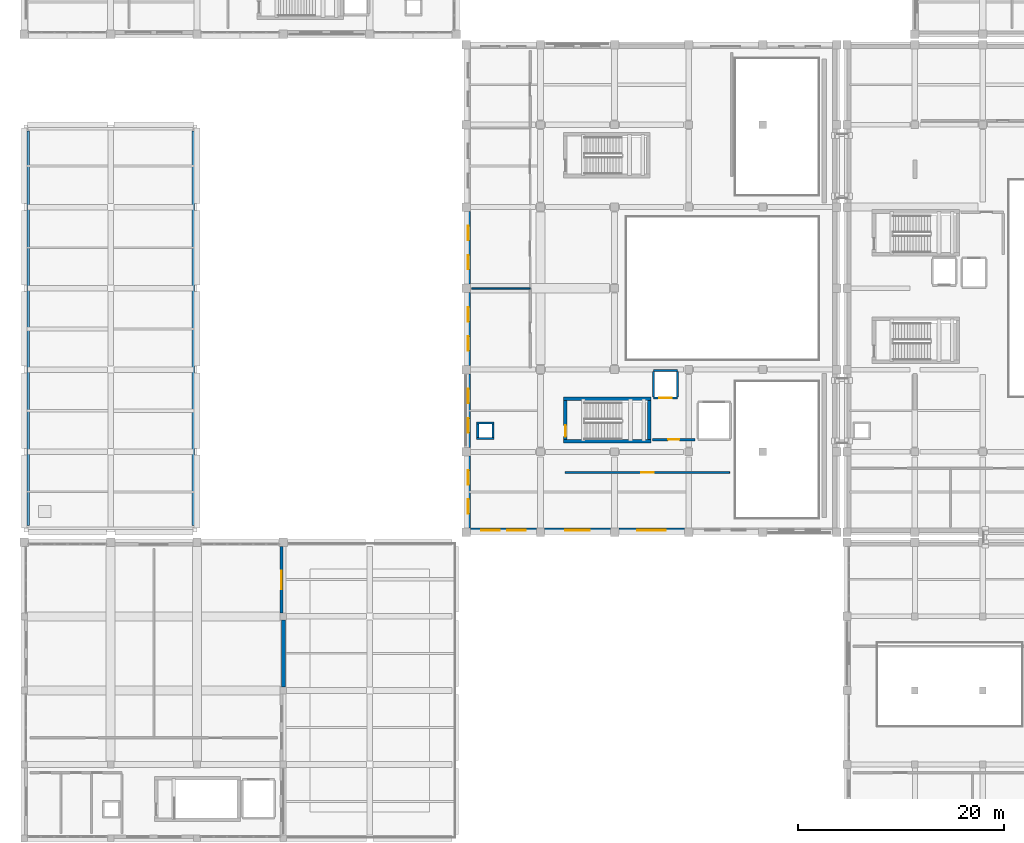
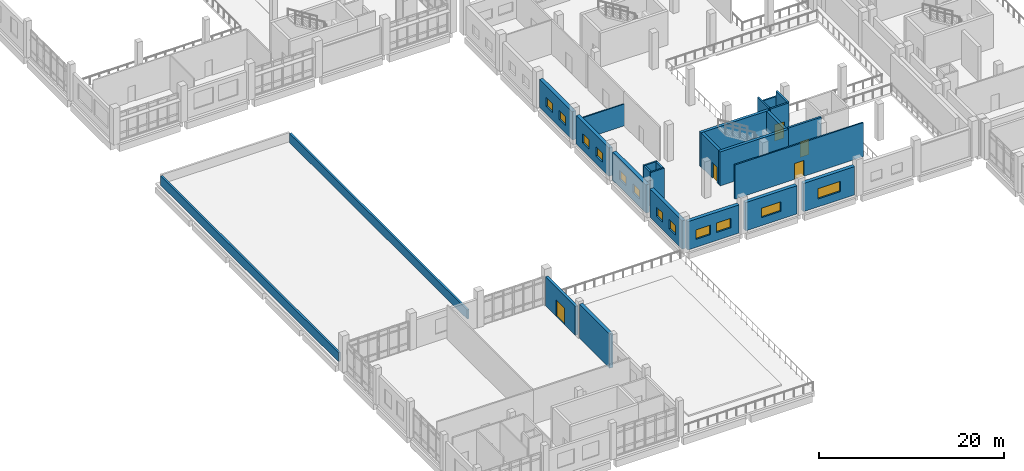
# One storey, part 49 of 73: 26 walls, 12 windows, 5 doors, 17 openings.
"""IFC4 building model written with IfcOpenShell, lengths in metres."""

from ifc_helpers import new_model, si_unit, direction, frame, frame_2d, origin, place, context, subcontext, project, spatial, rectangle, extrude, material, layer, layer_set, type_object, element, fill, save


model = new_model("IFC4")

# Units and contexts
model_context = context("Model", 3, precision=1e-05, world=origin(), true_north=direction((0.0, 1.0)))
body_context = subcontext(model_context, "Body", "Model", "MODEL_VIEW")
ifc_project = project(units=[si_unit("LENGTHUNIT", "METRE"), si_unit("AREAUNIT", "SQUARE_METRE"), si_unit("VOLUMEUNIT", "CUBIC_METRE"), si_unit("PLANEANGLEUNIT", "RADIAN"), si_unit("MASSUNIT", "GRAM", prefix="KILO")], contexts=[model_context])

# Site, building, storey
site_placement = place(None, origin())
site = spatial("IfcSite", under=ifc_project, at=site_placement, CompositionType="ELEMENT")
building_placement = place(site_placement, origin())
building = spatial("IfcBuilding", under=site, at=building_placement, Name="Kelarvand Opera House", CompositionType="ELEMENT")
storey_placement = place(building_placement, frame((0.0, 0.0, 10.199951171875)))
storey = spatial("IfcBuildingStorey", under=building, at=storey_placement, Name="L02", CompositionType="ELEMENT", Elevation=10.199951171875)

# Walls
ifc_material_1 = material(Name="Acoustic double-stud gypsum partition")
ifc_layer_1 = layer(ifc_material_1, 0.14990234375, Name="Acoustic double-stud gypsum partition")
ifc_layer_set_1 = layer_set([ifc_layer_1], Name="Acoustic double-stud gypsum partition")
wall_type_1 = type_object("IfcWallType", Name="Acoustic Room Partition Wall 150", PredefinedType="PARTITIONING", material=ifc_layer_set_1)
wall_1_placement = place(storey_placement, frame((52.5, 62.5, 0.0), z_axis=(0.0, 0.0, 1.0), x_axis=(1.0, 0.0, 0.0)))
element("IfcWall", 1, at=wall_1_placement, inside=storey, type_object=wall_type_1, Name="V2 L02 Partition Wall IW-150 (493)", PredefinedType="PARTITIONING", context=body_context, shape_type="SweptSolid", body=[
    extrude(rectangle(XDim=5.699951171875, YDim=0.14990234375, at=frame_2d((2.85009765625, 0.0))), origin(), (0.0, 0.0, 1.0), 2.8720703125),
])
ifc_material_2 = material(Name="Concrete C35/45", Category="concrete")
ifc_layer_2 = layer(ifc_material_2, 0.239990234375, Name="Concrete C35/45", Category="concrete")
ifc_layer_set_2 = layer_set([ifc_layer_2], Name="Concrete C35/45")
wall_type_2 = type_object("IfcWallType", Name="Capped Travertine Roof Parapet 240", PredefinedType="PARAPET", material=ifc_layer_set_2)
for number, where, z_axis, x_axis, name in (
    (2, (9.3798828125, 77.780029296875, 0.0), (0.0, 0.0, 1.0), (0.0, -1.0, 0.0), "V4 Roof Parapet 27"),
    (3, (25.419921875, 39.419921875, 0.0), (0.0, 0.0, 1.0), (0.0, 1.0, 0.0), "V4 Roof Parapet 28"),
):
    element("IfcWall", number, at=place(storey_placement, frame(where, z_axis=z_axis, x_axis=x_axis)), inside=storey, type_object=wall_type_2, Name=name, PredefinedType="PARAPET", context=body_context, shape_type="SweptSolid", body=[
        extrude(rectangle(XDim=38.360107421875, YDim=0.239990234375, at=frame_2d((19.18017578125, 0.0))), origin(), (0.0, 0.0, 1.0), 1.199951171875),
    ])
ifc_material_3 = material(Name="Concrete C40/50", Category="concrete")
ifc_layer_3 = layer(ifc_material_3, 0.35009765625, Name="Concrete C40/50", Category="concrete")
ifc_layer_set_3 = layer_set([ifc_layer_3], Name="Concrete C40/50")
wall_type_3 = type_object("IfcWallType", Name="Core Stair and Lift Shear Wall 350", PredefinedType="SHEAR", material=ifc_layer_set_3)
for number, where, z_axis, x_axis, name in (
    (4, (61.449951171875, 47.625, 0.0), (0.0, 0.0, 1.0), (1.0, 0.0, 0.0), "C2 Stair Core Shear Wall S L02"),
    (5, (69.949951171875, 51.77490234375, 0.0), (0.0, 0.0, 1.0), (-1.0, 0.0, 0.0), "C2 Stair Core Shear Wall N L02"),
):
    element("IfcWall", number, at=place(storey_placement, frame(where, z_axis=z_axis, x_axis=x_axis)), inside=storey, type_object=wall_type_3, Name=name, PredefinedType="SHEAR", context=body_context, shape_type="SweptSolid", body=[
        extrude(rectangle(XDim=8.5, YDim=0.35009765625, at=frame_2d((4.25, 0.0))), origin(), (0.0, 0.0, 1.0), 4.47998046875),
    ])

# Wall, opening, door
wall_2_placement = place(storey_placement, frame((61.625, 47.800048828125, 0.0), z_axis=(0.0, 0.0, 1.0), x_axis=(0.0, 1.0, 0.0)))
wall_2 = element("IfcWall", 6, at=wall_2_placement, inside=storey, type_object=wall_type_3, Name="C2 Stair Core Shear Wall W L02", PredefinedType="SHEAR", context=body_context, shape_type="SweptSolid", body=[
    extrude(rectangle(XDim=3.800048828125, YDim=0.35009765625, at=frame_2d((1.89990234375, 0.0))), origin(), (0.0, 0.0, 1.0), 4.47998046875),
])
opening_1_placement = place(wall_2_placement, frame((0.280029296875, 0.0, 0.0)))
opening_1 = element("IfcOpeningElement", 7, at=opening_1_placement, cuts=wall_2, Name="Opening FD-01", PredefinedType="OPENING", context=body_context, shape_type="SweptSolid", body=[
    extrude(rectangle(XDim=1.10009765625, YDim=2.080078125, at=frame_2d((0.550048828125, 1.0400390625))), frame((0.0, 0.18505859375, 0.0), z_axis=(0.0, -1.0, 0.0), x_axis=(1.0, 0.0, 0.0)), (0.0, 0.0, 1.0), 0.3701171875),
])
ifc_material_4 = material(Name="Fire-rated brushed stainless steel", Category="steel")
door_type_1 = type_object("IfcDoorType", Name="Steel Fire-Rated Stair and FF Lobby Door 1100x2080", OperationType="NOTDEFINED", PredefinedType="DOOR", material=ifc_material_4)
door_1_placement = place(opening_1_placement, origin())
door_1 = element("IfcDoor", 8, at=door_1_placement, inside=storey, type_object=door_type_1, Name="C2 Stair ST-02 Fire Door L02", OperationType="SINGLE_SWING_LEFT", OverallHeight=2.080078125, OverallWidth=1.10009765625, PredefinedType="DOOR", context=body_context, shape_type="SweptSolid", body=[
    extrude(rectangle(XDim=1.10009765625, YDim=2.080078125, at=frame_2d((0.550048828125, 1.0400390625))), frame((0.0, 0.02490234375, 0.0), z_axis=(0.0, -1.0, 0.0), x_axis=(1.0, 0.0, 0.0)), (0.0, 0.0, 1.0), 0.050048828125),
])
fill(opening_1, door_1)

# Wall
wall_3_placement = place(storey_placement, frame((69.77490234375, 51.60009765625, 0.0), z_axis=(0.0, 0.0, 1.0), x_axis=(0.0, -1.0, 0.0)))
element("IfcWall", 9, at=wall_3_placement, inside=storey, type_object=wall_type_3, Name="C2 Stair Core Shear Wall E L02", PredefinedType="SHEAR", context=body_context, shape_type="SweptSolid", body=[
    extrude(rectangle(XDim=3.800048828125, YDim=0.35009765625, at=frame_2d((1.89990234375, 0.0))), origin(), (0.0, 0.0, 1.0), 4.47998046875),
])

# Wall, opening, door
ifc_layer_4 = layer(ifc_material_2, 0.179931640625, Name="Concrete C35/45", Category="concrete")
ifc_layer_set_4 = layer_set([ifc_layer_4], Name="Concrete C35/45")
wall_type_4 = type_object("IfcWallType", Name="Corridor Fire-Rated Partition Wall 180 EI90", PredefinedType="PARTITIONING", material=ifc_layer_set_4)
wall_4_placement = place(storey_placement, frame((61.60009765625, 44.60009765625, 0.0), z_axis=(0.0, 0.0, 1.0), x_axis=(1.0, 0.0, 0.0)))
wall_4 = element("IfcWall", 10, at=wall_4_placement, inside=storey, type_object=wall_type_4, Name="V2 L02 Partition Wall IW-90 (491)", PredefinedType="PARTITIONING", context=body_context, shape_type="SweptSolid", body=[
    extrude(rectangle(XDim=16.0, YDim=0.179931640625, at=frame_2d((8.0, 0.0))), origin(), (0.0, 0.0, 1.0), 4.491943359375),
])
opening_2_placement = place(wall_4_placement, frame((7.39990234375, 0.0, 0.0)))
opening_2 = element("IfcOpeningElement", 11, at=opening_2_placement, cuts=wall_4, Name="Opening D-06", PredefinedType="OPENING", context=body_context, shape_type="SweptSolid", body=[
    extrude(rectangle(XDim=1.199951171875, YDim=2.10009765625, at=frame_2d((0.60009765625, 1.050048828125))), frame((0.0, 0.10009765625, 0.0), z_axis=(0.0, -1.0, 0.0), x_axis=(1.0, 0.0, 0.0)), (0.0, 0.0, 1.0), 0.199951171875),
])
ifc_material_5 = material(Name="Acoustic walnut-veneered hardwood", Category="wood")
door_type_2 = type_object("IfcDoorType", Name="Accessible Suite Timber Door 1200x2100", OperationType="NOTDEFINED", PredefinedType="DOOR", material=ifc_material_5)
door_2_placement = place(opening_2_placement, origin())
door_2 = element("IfcDoor", 12, at=door_2_placement, inside=storey, type_object=door_type_2, Name="V2 L02 Door D-06 (216)", OperationType="SINGLE_SWING_LEFT", OverallHeight=2.10009765625, OverallWidth=1.199951171875, PredefinedType="DOOR", context=body_context, shape_type="SweptSolid", body=[
    extrude(rectangle(XDim=1.199951171875, YDim=2.10009765625, at=frame_2d((0.60009765625, 1.050048828125))), frame((0.0, 0.02490234375, 0.0), z_axis=(0.0, -1.0, 0.0), x_axis=(1.0, 0.0, 0.0)), (0.0, 0.0, 1.0), 0.050048828125),
])
fill(opening_2, door_2)

ifc_layer_5 = layer(ifc_material_2, 0.239990234375, Name="Concrete C35/45", Category="concrete")
ifc_layer_set_5 = layer_set([ifc_layer_5], Name="Concrete C35/45")
wall_type_5 = type_object("IfcWallType", Name="Firefighting Lobby Partition Wall 240 EI120", PredefinedType="PARTITIONING", material=ifc_layer_set_5)
wall_5_placement = place(storey_placement, frame((70.10009765625, 47.800048828125, 0.0), z_axis=(0.0, 0.0, 1.0), x_axis=(1.0, 0.0, 0.0)))
wall_5 = element("IfcWall", 13, at=wall_5_placement, inside=storey, type_object=wall_type_5, Name="V2 L02 Partition Wall IW-120 (458)", PredefinedType="PARTITIONING", context=body_context, shape_type="SweptSolid", body=[
    extrude(rectangle(XDim=4.099853515625, YDim=0.239990234375, at=frame_2d((2.0498046875, 0.0))), origin(), (0.0, 0.0, 1.0), 4.47216796875),
])
opening_3_placement = place(wall_5_placement, frame((1.5, 0.0, 0.0)))
opening_3 = element("IfcOpeningElement", 14, at=opening_3_placement, cuts=wall_5, Name="Opening FD-01", PredefinedType="OPENING", context=body_context, shape_type="SweptSolid", body=[
    extrude(rectangle(XDim=1.10009765625, YDim=2.080078125, at=frame_2d((0.550048828125, 1.0400390625))), frame((0.0, 0.1298828125, 0.0), z_axis=(0.0, -1.0, 0.0), x_axis=(1.0, 0.0, 0.0)), (0.0, 0.0, 1.0), 0.260009765625),
])
door_3_placement = place(opening_3_placement, origin())
door_3 = element("IfcDoor", 15, at=door_3_placement, inside=storey, type_object=door_type_1, Name="V2 L02 Door FD-01 (203)", OperationType="SINGLE_SWING_RIGHT", OverallHeight=2.080078125, OverallWidth=1.10009765625, PredefinedType="DOOR", context=body_context, shape_type="SweptSolid", body=[
    extrude(rectangle(XDim=1.10009765625, YDim=2.080078125, at=frame_2d((0.550048828125, 1.0400390625))), frame((0.0, 0.02490234375, 0.0), z_axis=(0.0, -1.0, 0.0), x_axis=(1.0, 0.0, 0.0)), (0.0, 0.0, 1.0), 0.050048828125),
])
fill(opening_3, door_3)

ifc_layer_6 = layer(ifc_material_2, 0.320068359375, Name="Concrete C35/45", Category="concrete")
ifc_layer_set_6 = layer_set([ifc_layer_6], Name="Concrete C35/45")
wall_type_6 = type_object("IfcWallType", Name="Insulated Buff Brick Cavity Wall 320", PredefinedType="SOLIDWALL", material=ifc_layer_set_6)
wall_6_placement = place(storey_placement, frame((34.02001953125, 37.389892578125, 0.0), z_axis=(0.0, 0.0, 1.0), x_axis=(0.0, -1.0, 0.0)))
wall_6 = element("IfcWall", 16, at=wall_6_placement, inside=storey, type_object=wall_type_6, Name="V4 L02 Exterior Wall EW-320 (548)", PredefinedType="SOLIDWALL", context=body_context, shape_type="SweptSolid", body=[
    extrude(rectangle(XDim=6.46484375, YDim=0.320068359375, at=frame_2d((3.232421875, 0.0))), origin(), (0.0, 0.0, 1.0), 3.822021484375),
])
opening_4_placement = place(wall_6_placement, frame((2.3330078125, 0.0, 0.0)))
opening_4 = element("IfcOpeningElement", 17, at=opening_4_placement, cuts=wall_6, Name="Opening TD-180", PredefinedType="OPENING", context=body_context, shape_type="SweptSolid", body=[
    extrude(rectangle(XDim=1.800048828125, YDim=2.199951171875, at=frame_2d((0.89990234375, 1.10009765625))), frame((0.0, 0.169921875, 0.0), z_axis=(0.0, -1.0, 0.0), x_axis=(1.0, 0.0, 0.0)), (0.0, 0.0, 1.0), 0.340087890625),
])
ifc_material_6 = material(Name="Thermally broken bronze-anodised aluminium and safety glass", Category="aluminium")
door_type_3 = type_object("IfcDoorType", Name="Glazed Planted Roof Terrace Double Door 1800x2200", OperationType="NOTDEFINED", PredefinedType="DOOR", material=ifc_material_6)
door_4_placement = place(opening_4_placement, origin())
door_4 = element("IfcDoor", 18, at=door_4_placement, inside=storey, type_object=door_type_3, Name="V4 L02 Planted Terrace Door 1", OperationType="DOUBLE_DOOR_SINGLE_SWING", OverallHeight=2.199951171875, OverallWidth=1.800048828125, PredefinedType="DOOR", context=body_context, shape_type="SweptSolid", body=[
    extrude(rectangle(XDim=1.800048828125, YDim=2.199951171875, at=frame_2d((0.89990234375, 1.10009765625))), frame((0.0, 0.02490234375, 0.0), z_axis=(0.0, -1.0, 0.0), x_axis=(1.0, 0.0, 0.0)), (0.0, 0.0, 1.0), 0.050048828125),
])
fill(opening_4, door_4)

# Walls
ifc_layer_7 = layer(ifc_material_2, 0.199951171875, Name="Concrete C35/45", Category="concrete")
ifc_layer_set_7 = layer_set([ifc_layer_7], Name="Concrete C35/45")
wall_type_7 = type_object("IfcWallType", Name="Lift and Riser Shaft Enclosure Wall 200 EI120", PredefinedType="PARTITIONING", material=ifc_layer_set_7)
for number, where, z_axis, x_axis, name in (
    (19, (53.0, 47.89990234375, 0.0), (0.0, 0.0, 1.0), (1.0, 0.0, 0.0), "RSR-V2 L02 Riser Shaft Wall 45"),
    (20, (54.699951171875, 49.39990234375, 0.0), (0.0, 0.0, 1.0), (-1.0, 0.0, 0.0), "RSR-V2 L02 Riser Shaft Wall 46"),
):
    element("IfcWall", number, at=place(storey_placement, frame(where, z_axis=z_axis, x_axis=x_axis)), inside=storey, type_object=wall_type_7, Name=name, PredefinedType="PARTITIONING", context=body_context, shape_type="SweptSolid", body=[
        extrude(rectangle(XDim=1.699951171875, YDim=0.199951171875, at=frame_2d((0.85009765625, 0.0))), origin(), (0.0, 0.0, 1.0), 4.5),
    ])
for number, where, z_axis, x_axis, name in (
    (21, (53.10009765625, 48.0, 0.0), (0.0, 0.0, 1.0), (0.0, 1.0, 0.0), "RSR-V2 L02 Riser Shaft Wall 47"),
    (22, (54.60009765625, 49.300048828125, 0.0), (0.0, 0.0, 1.0), (0.0, -1.0, 0.0), "RSR-V2 L02 Riser Shaft Wall 48"),
):
    element("IfcWall", number, at=place(storey_placement, frame(where, z_axis=z_axis, x_axis=x_axis)), inside=storey, type_object=wall_type_7, Name=name, PredefinedType="PARTITIONING", context=body_context, shape_type="SweptSolid", body=[
        extrude(rectangle(XDim=1.300048828125, YDim=0.199951171875, at=frame_2d((0.64990234375, 0.0))), origin(), (0.0, 0.0, 1.0), 4.5),
    ])

# Wall, opening, door
wall_7_placement = place(storey_placement, frame((70.199951171875, 51.85009765625, 0.0), z_axis=(0.0, 0.0, 1.0), x_axis=(1.0, 0.0, 0.0)))
wall_7 = element("IfcWall", 23, at=wall_7_placement, inside=storey, type_object=wall_type_7, Name="V2 L02 Partition Wall SW-200 (450)", PredefinedType="PARTITIONING", context=body_context, shape_type="SweptSolid", body=[
    extrude(rectangle(XDim=2.300048828125, YDim=0.199951171875, at=frame_2d((1.14990234375, 0.0))), origin(), (0.0, 0.0, 1.0), 4.47216796875),
])
opening_5_placement = place(wall_7_placement, frame((0.550048828125, 0.0, 0.0)))
opening_5 = element("IfcOpeningElement", 24, at=opening_5_placement, cuts=wall_7, Name="Opening LD-02", PredefinedType="OPENING", context=body_context, shape_type="SweptSolid", body=[
    extrude(rectangle(XDim=1.199951171875, YDim=2.14990234375, at=frame_2d((0.60009765625, 1.074951171875))), frame((0.0, 0.10986328125, 0.0), z_axis=(0.0, -1.0, 0.0), x_axis=(1.0, 0.0, 0.0)), (0.0, 0.0, 1.0), 0.219970703125),
])
door_type_4 = type_object("IfcDoorType", Name="Firefighting Lift Sliding Landing Door 1200x2150", OperationType="SLIDING_TO_LEFT", PredefinedType="DOOR", material=ifc_material_4)
door_5_placement = place(opening_5_placement, origin())
door_5 = element("IfcDoor", 25, at=door_5_placement, inside=storey, type_object=door_type_4, Name="V2 L02 Door LD-02 (201)", OperationType="SLIDING_TO_LEFT", OverallHeight=2.14990234375, OverallWidth=1.199951171875, PredefinedType="DOOR", context=body_context, shape_type="SweptSolid", body=[
    extrude(rectangle(XDim=1.199951171875, YDim=2.14990234375, at=frame_2d((0.60009765625, 1.074951171875))), frame((0.0, 0.02490234375, 0.0), z_axis=(0.0, -1.0, 0.0), x_axis=(1.0, 0.0, 0.0)), (0.0, 0.0, 1.0), 0.050048828125),
])
fill(opening_5, door_5)

# Walls
wall_8_placement = place(storey_placement, frame((72.5, 54.5, 0.0), z_axis=(0.0, 0.0, 1.0), x_axis=(-1.0, 0.0, 0.0)))
element("IfcWall", 26, at=wall_8_placement, inside=storey, type_object=wall_type_7, Name="V2 L02 Partition Wall SW-200 (451)", PredefinedType="PARTITIONING", context=body_context, shape_type="SweptSolid", body=[
    extrude(rectangle(XDim=2.300048828125, YDim=0.199951171875, at=frame_2d((1.14990234375, 0.0))), origin(), (0.0, 0.0, 1.0), 3.72216796875),
])
for number, where, z_axis, x_axis, name in (
    (27, (70.199951171875, 51.949951171875, 0.0), (0.0, 0.0, 1.0), (0.0, 1.0, 0.0), "V2 L02 Partition Wall SW-200 (452)"),
    (28, (72.5, 54.39990234375, 0.0), (0.0, 0.0, 1.0), (0.0, -1.0, 0.0), "V2 L02 Partition Wall SW-200 (453)"),
):
    element("IfcWall", number, at=place(storey_placement, frame(where, z_axis=z_axis, x_axis=x_axis)), inside=storey, type_object=wall_type_7, Name=name, PredefinedType="PARTITIONING", context=body_context, shape_type="SweptSolid", body=[
        extrude(rectangle(XDim=2.449951171875, YDim=0.199951171875, at=frame_2d((1.22509765625, 0.0))), origin(), (0.0, 0.0, 1.0), 4.47216796875),
    ])
ifc_layer_8 = layer(ifc_material_3, 0.39990234375, Name="Concrete C40/50", Category="concrete")
ifc_layer_set_8 = layer_set([ifc_layer_8], Name="Concrete C40/50")
wall_type_8 = type_object("IfcWallType", Name="Seismic Compartment Shear Wall 400", PredefinedType="SHEAR", material=ifc_layer_set_8)
wall_9_placement = place(storey_placement, frame((34.199951171875, 23.72509765625, 0.0), z_axis=(0.0, 0.0, 1.0), x_axis=(0.0, 1.0, 0.0)))
element("IfcWall", 29, at=wall_9_placement, inside=storey, type_object=wall_type_8, Name="V4 Shear Wall CW-120 L02", PredefinedType="SHEAR", context=body_context, shape_type="SweptSolid", body=[
    extrude(rectangle(XDim=6.5498046875, YDim=0.39990234375, at=frame_2d((3.27490234375, 0.0))), origin(), (0.0, 0.0, 1.0), 4.47998046875),
])

# Wall, openings, windows
ifc_layer_9 = layer(ifc_material_2, 0.43994140625, Name="Concrete C35/45", Category="concrete")
ifc_layer_set_9 = layer_set([ifc_layer_9], Name="Concrete C35/45")
wall_type_9 = type_object("IfcWallType", Name="Stage House Acoustic Cavity Wall 440", PredefinedType="SOLIDWALL", material=ifc_layer_set_9)
wall_10_placement = place(storey_placement, frame((52.179931640625, 39.2099609375, 0.0), z_axis=(0.0, 0.0, 1.0), x_axis=(0.0, 1.0, 0.0)))
wall_10 = element("IfcWall", 30, at=wall_10_placement, inside=storey, type_object=wall_type_9, Name="V2 L02 Exterior Wall EW-440 (269)", PredefinedType="SOLIDWALL", context=body_context, shape_type="SweptSolid", body=[
    extrude(rectangle(XDim=6.97998046875, YDim=0.43994140625, at=frame_2d((3.489990234375, 0.0))), origin(), (0.0, 0.0, 1.0), 3.72216796875),
])
opening_6_placement = place(wall_10_placement, frame((1.39404296875, 0.0, 1.0)))
opening_6 = element("IfcOpeningElement", 31, at=opening_6_placement, cuts=wall_10, Name="Opening WN-24", PredefinedType="OPENING", context=body_context, shape_type="SweptSolid", body=[
    extrude(rectangle(XDim=1.39990234375, YDim=1.199951171875, at=frame_2d((0.699951171875, 0.60009765625))), frame((0.0, 0.22998046875, 0.0), z_axis=(0.0, -1.0, 0.0), x_axis=(1.0, 0.0, 0.0)), (0.0, 0.0, 1.0), 0.4599609375),
])
opening_7_placement = place(wall_10_placement, frame((4.18603515625, 0.0, 1.0)))
opening_7 = element("IfcOpeningElement", 32, at=opening_7_placement, cuts=wall_10, Name="Opening WN-24", PredefinedType="OPENING", context=body_context, shape_type="SweptSolid", body=[
    extrude(rectangle(XDim=1.39990234375, YDim=1.199951171875, at=frame_2d((0.699951171875, 0.60009765625))), frame((0.0, 0.22998046875, 0.0), z_axis=(0.0, -1.0, 0.0), x_axis=(1.0, 0.0, 0.0)), (0.0, 0.0, 1.0), 0.4599609375),
])
ifc_material_7 = material(Name="Thermally broken aluminium and low-E double glazing", Category="aluminium")
window_type_1 = type_object("IfcWindowType", Name="Recessed Aluminium Thermal Window 1400x1200 WN-24", PartitioningType="SINGLE_PANEL", PredefinedType="WINDOW", material=ifc_material_7)
window_1_placement = place(opening_6_placement, origin())
window_1 = element("IfcWindow", 33, at=window_1_placement, inside=storey, type_object=window_type_1, Name="V2 L02 Facade Window WN-24 (45)", OverallHeight=1.199951171875, OverallWidth=1.39990234375, PartitioningType="SINGLE_PANEL", PredefinedType="WINDOW", context=body_context, shape_type="SweptSolid", body=[
    extrude(rectangle(XDim=1.39990234375, YDim=1.199951171875, at=frame_2d((0.699951171875, 0.60009765625))), frame((0.0, 0.030029296875, 0.0), z_axis=(0.0, -1.0, 0.0), x_axis=(1.0, 0.0, 0.0)), (0.0, 0.0, 1.0), 0.06005859375),
])
fill(opening_6, window_1)
window_2_placement = place(opening_7_placement, origin())
window_2 = element("IfcWindow", 34, at=window_2_placement, inside=storey, type_object=window_type_1, Name="V2 L02 Facade Window WN-24 (46)", OverallHeight=1.199951171875, OverallWidth=1.39990234375, PartitioningType="SINGLE_PANEL", PredefinedType="WINDOW", context=body_context, shape_type="SweptSolid", body=[
    extrude(rectangle(XDim=1.39990234375, YDim=1.199951171875, at=frame_2d((0.699951171875, 0.60009765625))), frame((0.0, 0.030029296875, 0.0), z_axis=(0.0, -1.0, 0.0), x_axis=(1.0, 0.0, 0.0)), (0.0, 0.0, 1.0), 0.06005859375),
])
fill(opening_7, window_2)

wall_11_placement = place(storey_placement, frame((52.179931640625, 47.010009765625, 0.0), z_axis=(0.0, 0.0, 1.0), x_axis=(0.0, 1.0, 0.0)))
wall_11 = element("IfcWall", 35, at=wall_11_placement, inside=storey, type_object=wall_type_9, Name="V2 L02 Exterior Wall EW-440 (270)", PredefinedType="SOLIDWALL", context=body_context, shape_type="SweptSolid", body=[
    extrude(rectangle(XDim=7.179931640625, YDim=0.43994140625, at=frame_2d((3.58984375, 0.0))), origin(), (0.0, 0.0, 1.0), 3.72216796875),
])
opening_8_placement = place(wall_11_placement, frame((1.4541015625, 0.0, 1.0)))
opening_8 = element("IfcOpeningElement", 36, at=opening_8_placement, cuts=wall_11, Name="Opening WN-24", PredefinedType="OPENING", context=body_context, shape_type="SweptSolid", body=[
    extrude(rectangle(XDim=1.39990234375, YDim=1.199951171875, at=frame_2d((0.699951171875, 0.60009765625))), frame((0.0, 0.22998046875, 0.0), z_axis=(0.0, -1.0, 0.0), x_axis=(1.0, 0.0, 0.0)), (0.0, 0.0, 1.0), 0.4599609375),
])
opening_9_placement = place(wall_11_placement, frame((4.325927734375, 0.0, 1.0)))
opening_9 = element("IfcOpeningElement", 37, at=opening_9_placement, cuts=wall_11, Name="Opening WN-24", PredefinedType="OPENING", context=body_context, shape_type="SweptSolid", body=[
    extrude(rectangle(XDim=1.39990234375, YDim=1.199951171875, at=frame_2d((0.699951171875, 0.60009765625))), frame((0.0, 0.22998046875, 0.0), z_axis=(0.0, -1.0, 0.0), x_axis=(1.0, 0.0, 0.0)), (0.0, 0.0, 1.0), 0.4599609375),
])
window_3_placement = place(opening_8_placement, origin())
window_3 = element("IfcWindow", 38, at=window_3_placement, inside=storey, type_object=window_type_1, Name="V2 L02 Facade Window WN-24 (47)", OverallHeight=1.199951171875, OverallWidth=1.39990234375, PartitioningType="SINGLE_PANEL", PredefinedType="WINDOW", context=body_context, shape_type="SweptSolid", body=[
    extrude(rectangle(XDim=1.39990234375, YDim=1.199951171875, at=frame_2d((0.699951171875, 0.60009765625))), frame((0.0, 0.030029296875, 0.0), z_axis=(0.0, -1.0, 0.0), x_axis=(1.0, 0.0, 0.0)), (0.0, 0.0, 1.0), 0.06005859375),
])
fill(opening_8, window_3)
window_4_placement = place(opening_9_placement, origin())
window_4 = element("IfcWindow", 39, at=window_4_placement, inside=storey, type_object=window_type_1, Name="V2 L02 Facade Window WN-24 (48)", OverallHeight=1.199951171875, OverallWidth=1.39990234375, PartitioningType="SINGLE_PANEL", PredefinedType="WINDOW", context=body_context, shape_type="SweptSolid", body=[
    extrude(rectangle(XDim=1.39990234375, YDim=1.199951171875, at=frame_2d((0.699951171875, 0.60009765625))), frame((0.0, 0.030029296875, 0.0), z_axis=(0.0, -1.0, 0.0), x_axis=(1.0, 0.0, 0.0)), (0.0, 0.0, 1.0), 0.06005859375),
])
fill(opening_9, window_4)

wall_12_placement = place(storey_placement, frame((52.179931640625, 55.010009765625, 0.0), z_axis=(0.0, 0.0, 1.0), x_axis=(0.0, 1.0, 0.0)))
wall_12 = element("IfcWall", 40, at=wall_12_placement, inside=storey, type_object=wall_type_9, Name="V2 L02 Exterior Wall EW-440 (271)", PredefinedType="SOLIDWALL", context=body_context, shape_type="SweptSolid", body=[
    extrude(rectangle(XDim=7.080078125, YDim=0.43994140625, at=frame_2d((3.5400390625, 0.0))), origin(), (0.0, 0.0, 1.0), 3.72216796875),
])
opening_10_placement = place(wall_12_placement, frame((1.424072265625, 0.0, 1.0)))
opening_10 = element("IfcOpeningElement", 41, at=opening_10_placement, cuts=wall_12, Name="Opening WN-24", PredefinedType="OPENING", context=body_context, shape_type="SweptSolid", body=[
    extrude(rectangle(XDim=1.39990234375, YDim=1.199951171875, at=frame_2d((0.699951171875, 0.60009765625))), frame((0.0, 0.22998046875, 0.0), z_axis=(0.0, -1.0, 0.0), x_axis=(1.0, 0.0, 0.0)), (0.0, 0.0, 1.0), 0.4599609375),
])
opening_11_placement = place(wall_12_placement, frame((4.256103515625, 0.0, 1.0)))
opening_11 = element("IfcOpeningElement", 42, at=opening_11_placement, cuts=wall_12, Name="Opening WN-24", PredefinedType="OPENING", context=body_context, shape_type="SweptSolid", body=[
    extrude(rectangle(XDim=1.39990234375, YDim=1.199951171875, at=frame_2d((0.699951171875, 0.60009765625))), frame((0.0, 0.22998046875, 0.0), z_axis=(0.0, -1.0, 0.0), x_axis=(1.0, 0.0, 0.0)), (0.0, 0.0, 1.0), 0.4599609375),
])
window_5_placement = place(opening_10_placement, origin())
window_5 = element("IfcWindow", 43, at=window_5_placement, inside=storey, type_object=window_type_1, Name="V2 L02 Facade Window WN-24 (49)", OverallHeight=1.199951171875, OverallWidth=1.39990234375, PartitioningType="SINGLE_PANEL", PredefinedType="WINDOW", context=body_context, shape_type="SweptSolid", body=[
    extrude(rectangle(XDim=1.39990234375, YDim=1.199951171875, at=frame_2d((0.699951171875, 0.60009765625))), frame((0.0, 0.030029296875, 0.0), z_axis=(0.0, -1.0, 0.0), x_axis=(1.0, 0.0, 0.0)), (0.0, 0.0, 1.0), 0.06005859375),
])
fill(opening_10, window_5)
window_6_placement = place(opening_11_placement, origin())
window_6 = element("IfcWindow", 44, at=window_6_placement, inside=storey, type_object=window_type_1, Name="V2 L02 Facade Window WN-24 (50)", OverallHeight=1.199951171875, OverallWidth=1.39990234375, PartitioningType="SINGLE_PANEL", PredefinedType="WINDOW", context=body_context, shape_type="SweptSolid", body=[
    extrude(rectangle(XDim=1.39990234375, YDim=1.199951171875, at=frame_2d((0.699951171875, 0.60009765625))), frame((0.0, 0.030029296875, 0.0), z_axis=(0.0, -1.0, 0.0), x_axis=(1.0, 0.0, 0.0)), (0.0, 0.0, 1.0), 0.06005859375),
])
fill(opening_11, window_6)

wall_13_placement = place(storey_placement, frame((52.179931640625, 62.909912109375, 0.0), z_axis=(0.0, 0.0, 1.0), x_axis=(0.0, 1.0, 0.0)))
wall_13 = element("IfcWall", 45, at=wall_13_placement, inside=storey, type_object=wall_type_9, Name="V2 L02 Exterior Wall EW-440 (272)", PredefinedType="SOLIDWALL", context=body_context, shape_type="SweptSolid", body=[
    extrude(rectangle(XDim=7.080078125, YDim=0.43994140625, at=frame_2d((3.5400390625, 0.0))), origin(), (0.0, 0.0, 1.0), 3.72216796875),
])
opening_12_placement = place(wall_13_placement, frame((1.424072265625, 0.0, 1.0)))
opening_12 = element("IfcOpeningElement", 46, at=opening_12_placement, cuts=wall_13, Name="Opening WN-24", PredefinedType="OPENING", context=body_context, shape_type="SweptSolid", body=[
    extrude(rectangle(XDim=1.39990234375, YDim=1.199951171875, at=frame_2d((0.699951171875, 0.60009765625))), frame((0.0, 0.22998046875, 0.0), z_axis=(0.0, -1.0, 0.0), x_axis=(1.0, 0.0, 0.0)), (0.0, 0.0, 1.0), 0.4599609375),
])
opening_13_placement = place(wall_13_placement, frame((4.256103515625, 0.0, 1.0)))
opening_13 = element("IfcOpeningElement", 47, at=opening_13_placement, cuts=wall_13, Name="Opening WN-24", PredefinedType="OPENING", context=body_context, shape_type="SweptSolid", body=[
    extrude(rectangle(XDim=1.39990234375, YDim=1.199951171875, at=frame_2d((0.699951171875, 0.60009765625))), frame((0.0, 0.22998046875, 0.0), z_axis=(0.0, -1.0, 0.0), x_axis=(1.0, 0.0, 0.0)), (0.0, 0.0, 1.0), 0.4599609375),
])
window_7_placement = place(opening_12_placement, origin())
window_7 = element("IfcWindow", 48, at=window_7_placement, inside=storey, type_object=window_type_1, Name="V2 L02 Facade Window WN-24 (51)", OverallHeight=1.199951171875, OverallWidth=1.39990234375, PartitioningType="SINGLE_PANEL", PredefinedType="WINDOW", context=body_context, shape_type="SweptSolid", body=[
    extrude(rectangle(XDim=1.39990234375, YDim=1.199951171875, at=frame_2d((0.699951171875, 0.60009765625))), frame((0.0, 0.030029296875, 0.0), z_axis=(0.0, -1.0, 0.0), x_axis=(1.0, 0.0, 0.0)), (0.0, 0.0, 1.0), 0.06005859375),
])
fill(opening_12, window_7)
window_8_placement = place(opening_13_placement, origin())
window_8 = element("IfcWindow", 49, at=window_8_placement, inside=storey, type_object=window_type_1, Name="V2 L02 Facade Window WN-24 (52)", OverallHeight=1.199951171875, OverallWidth=1.39990234375, PartitioningType="SINGLE_PANEL", PredefinedType="WINDOW", context=body_context, shape_type="SweptSolid", body=[
    extrude(rectangle(XDim=1.39990234375, YDim=1.199951171875, at=frame_2d((0.699951171875, 0.60009765625))), frame((0.0, 0.030029296875, 0.0), z_axis=(0.0, -1.0, 0.0), x_axis=(1.0, 0.0, 0.0)), (0.0, 0.0, 1.0), 0.06005859375),
])
fill(opening_13, window_8)

# Wall, opening, window
wall_14_placement = place(storey_placement, frame((73.18994140625, 38.97998046875, 0.0), z_axis=(0.0, 0.0, 1.0), x_axis=(-1.0, 0.0, 0.0)))
wall_14 = element("IfcWall", 50, at=wall_14_placement, inside=storey, type_object=wall_type_9, Name="V2 L02 Exterior Wall EW-440 (277)", PredefinedType="SOLIDWALL", context=body_context, shape_type="SweptSolid", body=[
    extrude(rectangle(XDim=6.3798828125, YDim=0.43994140625, at=frame_2d((3.18994140625, 0.0))), origin(), (0.0, 0.0, 1.0), 3.72216796875),
])
opening_14_placement = place(wall_14_placement, frame((1.7900390625, 0.0, 1.050048828125)))
opening_14 = element("IfcOpeningElement", 51, at=opening_14_placement, cuts=wall_14, Name="Opening WN-21", PredefinedType="OPENING", context=body_context, shape_type="SweptSolid", body=[
    extrude(rectangle(XDim=2.800048828125, YDim=1.35009765625, at=frame_2d((1.39990234375, 0.675048828125))), frame((0.0, 0.22998046875, 0.0), z_axis=(0.0, -1.0, 0.0), x_axis=(1.0, 0.0, 0.0)), (0.0, 0.0, 1.0), 0.4599609375),
])
window_type_2 = type_object("IfcWindowType", Name="Recessed Aluminium Thermal Window 2800x1350 WN-21", PartitioningType="SINGLE_PANEL", PredefinedType="WINDOW", material=ifc_material_7)
window_9_placement = place(opening_14_placement, origin())
window_9 = element("IfcWindow", 52, at=window_9_placement, inside=storey, type_object=window_type_2, Name="V2 L02 Facade Window WN-21 (61)", OverallHeight=1.35009765625, OverallWidth=2.800048828125, PartitioningType="SINGLE_PANEL", PredefinedType="WINDOW", context=body_context, shape_type="SweptSolid", body=[
    extrude(rectangle(XDim=2.800048828125, YDim=1.35009765625, at=frame_2d((1.39990234375, 0.675048828125))), frame((0.0, 0.030029296875, 0.0), z_axis=(0.0, -1.0, 0.0), x_axis=(1.0, 0.0, 0.0)), (0.0, 0.0, 1.0), 0.06005859375),
])
fill(opening_14, window_9)

wall_15_placement = place(storey_placement, frame((65.989990234375, 38.97998046875, 0.0), z_axis=(0.0, 0.0, 1.0), x_axis=(-1.0, 0.0, 0.0)))
wall_15 = element("IfcWall", 53, at=wall_15_placement, inside=storey, type_object=wall_type_9, Name="V2 L02 Exterior Wall EW-440 (278)", PredefinedType="SOLIDWALL", context=body_context, shape_type="SweptSolid", body=[
    extrude(rectangle(XDim=6.3798828125, YDim=0.43994140625, at=frame_2d((3.18994140625, 0.0))), origin(), (0.0, 0.0, 1.0), 3.72216796875),
])
opening_15_placement = place(wall_15_placement, frame((1.989990234375, 0.0, 1.050048828125)))
opening_15 = element("IfcOpeningElement", 54, at=opening_15_placement, cuts=wall_15, Name="Opening WN-22", PredefinedType="OPENING", context=body_context, shape_type="SweptSolid", body=[
    extrude(rectangle(XDim=2.39990234375, YDim=1.25, at=frame_2d((1.199951171875, 0.625))), frame((0.0, 0.22998046875, 0.0), z_axis=(0.0, -1.0, 0.0), x_axis=(1.0, 0.0, 0.0)), (0.0, 0.0, 1.0), 0.4599609375),
])
window_type_3 = type_object("IfcWindowType", Name="Recessed Aluminium Thermal Window 2400x1250 WN-22", PartitioningType="SINGLE_PANEL", PredefinedType="WINDOW", material=ifc_material_7)
window_10_placement = place(opening_15_placement, origin())
window_10 = element("IfcWindow", 55, at=window_10_placement, inside=storey, type_object=window_type_3, Name="V2 L02 Facade Window WN-22 (62)", OverallHeight=1.25, OverallWidth=2.39990234375, PartitioningType="SINGLE_PANEL", PredefinedType="WINDOW", context=body_context, shape_type="SweptSolid", body=[
    extrude(rectangle(XDim=2.39990234375, YDim=1.25, at=frame_2d((1.199951171875, 0.625))), frame((0.0, 0.030029296875, 0.0), z_axis=(0.0, -1.0, 0.0), x_axis=(1.0, 0.0, 0.0)), (0.0, 0.0, 1.0), 0.06005859375),
])
fill(opening_15, window_10)

# Wall, openings, windows
wall_16_placement = place(storey_placement, frame((58.7900390625, 38.97998046875, 0.0), z_axis=(0.0, 0.0, 1.0), x_axis=(-1.0, 0.0, 0.0)))
wall_16 = element("IfcWall", 56, at=wall_16_placement, inside=storey, type_object=wall_type_9, Name="V2 L02 Exterior Wall EW-440 (279)", PredefinedType="SOLIDWALL", context=body_context, shape_type="SweptSolid", body=[
    extrude(rectangle(XDim=6.380126953125, YDim=0.43994140625, at=frame_2d((3.18994140625, 0.0))), origin(), (0.0, 0.0, 1.0), 3.72216796875),
])
opening_16_placement = place(wall_16_placement, frame((1.013916015625, 0.0, 1.050048828125)))
opening_16 = element("IfcOpeningElement", 57, at=opening_16_placement, cuts=wall_16, Name="Opening WN-23", PredefinedType="OPENING", context=body_context, shape_type="SweptSolid", body=[
    extrude(rectangle(XDim=1.800048828125, YDim=1.25, at=frame_2d((0.89990234375, 0.625))), frame((0.0, 0.22998046875, 0.0), z_axis=(0.0, -1.0, 0.0), x_axis=(1.0, 0.0, 0.0)), (0.0, 0.0, 1.0), 0.4599609375),
])
opening_17_placement = place(wall_16_placement, frame((3.56591796875, 0.0, 1.050048828125)))
opening_17 = element("IfcOpeningElement", 58, at=opening_17_placement, cuts=wall_16, Name="Opening WN-23", PredefinedType="OPENING", context=body_context, shape_type="SweptSolid", body=[
    extrude(rectangle(XDim=1.800048828125, YDim=1.25, at=frame_2d((0.89990234375, 0.625))), frame((0.0, 0.22998046875, 0.0), z_axis=(0.0, -1.0, 0.0), x_axis=(1.0, 0.0, 0.0)), (0.0, 0.0, 1.0), 0.4599609375),
])
window_type_4 = type_object("IfcWindowType", Name="Recessed Aluminium Thermal Window 1800x1250 WN-23", PartitioningType="SINGLE_PANEL", PredefinedType="WINDOW", material=ifc_material_7)
window_11_placement = place(opening_16_placement, origin())
window_11 = element("IfcWindow", 59, at=window_11_placement, inside=storey, type_object=window_type_4, Name="V2 L02 Facade Window WN-23 (63)", OverallHeight=1.25, OverallWidth=1.800048828125, PartitioningType="SINGLE_PANEL", PredefinedType="WINDOW", context=body_context, shape_type="SweptSolid", body=[
    extrude(rectangle(XDim=1.800048828125, YDim=1.25, at=frame_2d((0.89990234375, 0.625))), frame((0.0, 0.030029296875, 0.0), z_axis=(0.0, -1.0, 0.0), x_axis=(1.0, 0.0, 0.0)), (0.0, 0.0, 1.0), 0.06005859375),
])
fill(opening_16, window_11)
window_12_placement = place(opening_17_placement, origin())
window_12 = element("IfcWindow", 60, at=window_12_placement, inside=storey, type_object=window_type_4, Name="V2 L02 Facade Window WN-23 (64)", OverallHeight=1.25, OverallWidth=1.800048828125, PartitioningType="SINGLE_PANEL", PredefinedType="WINDOW", context=body_context, shape_type="SweptSolid", body=[
    extrude(rectangle(XDim=1.800048828125, YDim=1.25, at=frame_2d((0.89990234375, 0.625))), frame((0.0, 0.030029296875, 0.0), z_axis=(0.0, -1.0, 0.0), x_axis=(1.0, 0.0, 0.0)), (0.0, 0.0, 1.0), 0.06005859375),
])
fill(opening_17, window_12)

save(model, "model.ifc")
